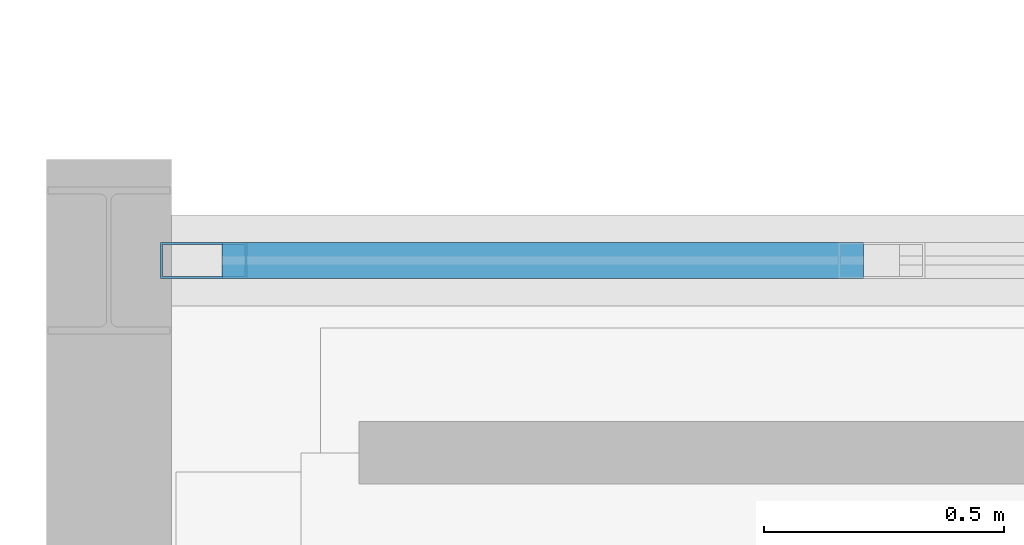
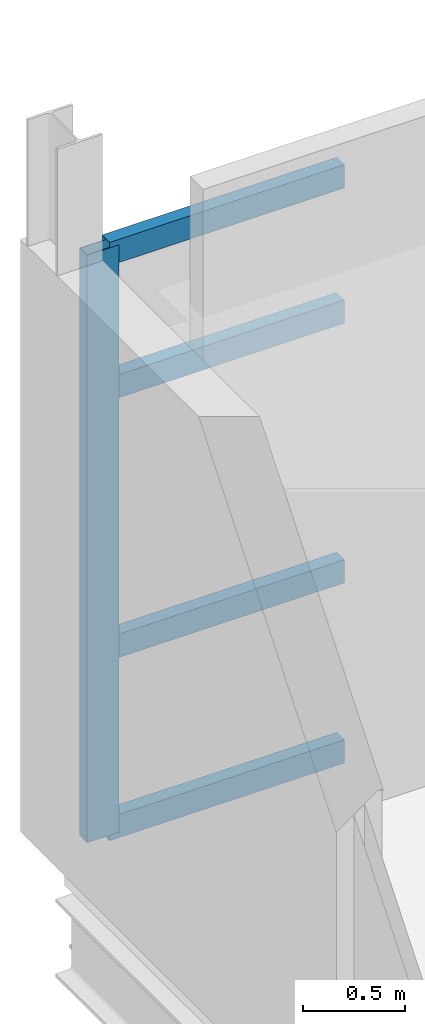
# One storey, part 4 of 24: 5 members, 1 element without a shape of its own.
"""IFC4 building model written with IfcOpenShell, lengths in metres."""

from ifc_helpers import new_model, si_unit, direction, frame, origin, origin_2d, place, context, subcontext, project, spatial, hollow_rectangle, extrude, material, material_profile, profile_set, type_object, element, aggregate, save


model = new_model("IFC4")

# Units and contexts
model_context = context("Model", 3, precision=1e-05, world=origin(), true_north=direction((0.0, 1.0)))
body_context = subcontext(model_context, "Body", "Model", "MODEL_VIEW")
ifc_project = project(units=[si_unit("LENGTHUNIT", "METRE"), si_unit("AREAUNIT", "SQUARE_METRE"), si_unit("VOLUMEUNIT", "CUBIC_METRE"), si_unit("PLANEANGLEUNIT", "RADIAN"), si_unit("MASSUNIT", "GRAM", prefix="KILO")], contexts=[model_context])

# Site, building, storey
site_placement = place(None, origin())
site = spatial("IfcSite", under=ifc_project, at=site_placement, CompositionType="ELEMENT")
building_placement = place(site_placement, origin())
building = spatial("IfcBuilding", under=site, at=building_placement, Name="Caisbarro Railhouse Central Library", CompositionType="ELEMENT")
storey_placement = place(building_placement, frame((0.0, 0.0, 22.320068359375)))
storey = spatial("IfcBuildingStorey", under=building, at=storey_placement, Name="L05", CompositionType="ELEMENT", Elevation=22.320068359375)

# Curtain wall, members
ifc_material = material(Name="Anodised architectural aluminium", Category="aluminium")
curtain_wall_type = type_object("IfcCurtainWallType", Name="CW-CW02", PredefinedType="NOTDEFINED", material=ifc_material)
curtain_wall_placement = place(storey_placement, origin())
curtain_wall = element("IfcCurtainWall", 1, at=curtain_wall_placement, inside=storey, type_object=curtain_wall_type, Name="CW02 curtain wall L05 #71", PredefinedType="NOTDEFINED")
ifc_material_profile_1 = material_profile(ifc_material, hollow_rectangle(XDim=0.074951171875, YDim=0.179931640625, WallThickness=0.00439453125, at=origin_2d()), Name="ALU-MUL-75X180")
ifc_profile_set_1 = profile_set([ifc_material_profile_1], Name="Anodised architectural aluminium")
member_type_1 = type_object("IfcMemberType", Name="CWM-M01", PredefinedType="MULLION", material=ifc_profile_set_1)
member_1_placement = place(storey_placement, frame((63.197509765625, 22.800048828125, 0.0), z_axis=(0.0, 0.0, 1.0), x_axis=(0.0, 1.0, 0.0)))
member_1 = element("IfcMember", 2, at=member_1_placement, type_object=member_type_1, Name="CW02 mullion 1", PredefinedType="MULLION", context=body_context, shape_type="SweptSolid", body=[
    extrude(hollow_rectangle(XDim=0.074951171875, YDim=0.179931640625, WallThickness=0.00439453125, at=origin_2d()), origin(), (0.0, 0.0, 1.0), 3.530029296875),
])
ifc_material_profile_2 = material_profile(ifc_material, hollow_rectangle(XDim=0.074951171875, YDim=0.139892578125, WallThickness=0.00390625, at=origin_2d()), Name="ALU-TRN-75X140")
ifc_profile_set_2 = profile_set([ifc_material_profile_2], Name="Anodised architectural aluminium")
member_type_2 = type_object("IfcMemberType", Name="CWT-T01", PredefinedType="USERDEFINED", material=ifc_profile_set_2)
member_2_placement = place(storey_placement, frame((63.235107421875, 22.800048828125, 0.037353515625), z_axis=(1.0, 0.0, 0.0), x_axis=(0.0, 1.0, 0.0)))
member_2 = element("IfcMember", 3, at=member_2_placement, type_object=member_type_2, Name="CW02 transom 1.1", ObjectType="TRANSOM", PredefinedType="USERDEFINED", context=body_context, shape_type="SweptSolid", body=[
    extrude(hollow_rectangle(XDim=0.074951171875, YDim=0.139892578125, WallThickness=0.00390625, at=origin_2d()), origin(), (0.0, 0.0, 1.0), 1.333984375),
])
member_3_placement = place(storey_placement, frame((63.235107421875, 22.800048828125, 1.119873046875), z_axis=(1.0, 0.0, 0.0), x_axis=(0.0, 1.0, 0.0)))
member_3 = element("IfcMember", 4, at=member_3_placement, type_object=member_type_2, Name="CW02 transom 1.2", ObjectType="TRANSOM", PredefinedType="USERDEFINED", context=body_context, shape_type="SweptSolid", body=[
    extrude(hollow_rectangle(XDim=0.074951171875, YDim=0.139892578125, WallThickness=0.00390625, at=origin_2d()), origin(), (0.0, 0.0, 1.0), 1.333984375),
])
member_4_placement = place(storey_placement, frame((63.235107421875, 22.800048828125, 2.679931640625), z_axis=(1.0, 0.0, 0.0), x_axis=(0.0, 1.0, 0.0)))
member_4 = element("IfcMember", 5, at=member_4_placement, type_object=member_type_2, Name="CW02 transom 1.3", ObjectType="TRANSOM", PredefinedType="USERDEFINED", context=body_context, shape_type="SweptSolid", body=[
    extrude(hollow_rectangle(XDim=0.074951171875, YDim=0.139892578125, WallThickness=0.00390625, at=origin_2d()), origin(), (0.0, 0.0, 1.0), 1.333984375),
])
member_5_placement = place(storey_placement, frame((63.235107421875, 22.800048828125, 3.492431640625), z_axis=(1.0, 0.0, 0.0), x_axis=(0.0, 1.0, 0.0)))
member_5 = element("IfcMember", 6, at=member_5_placement, type_object=member_type_2, Name="CW02 transom 1.4", ObjectType="TRANSOM", PredefinedType="USERDEFINED", context=body_context, shape_type="SweptSolid", body=[
    extrude(hollow_rectangle(XDim=0.074951171875, YDim=0.139892578125, WallThickness=0.00390625, at=origin_2d()), origin(), (0.0, 0.0, 1.0), 1.333984375),
])
aggregate(curtain_wall, [member_1, member_2, member_3, member_4, member_5])

save(model, "model.ifc")
